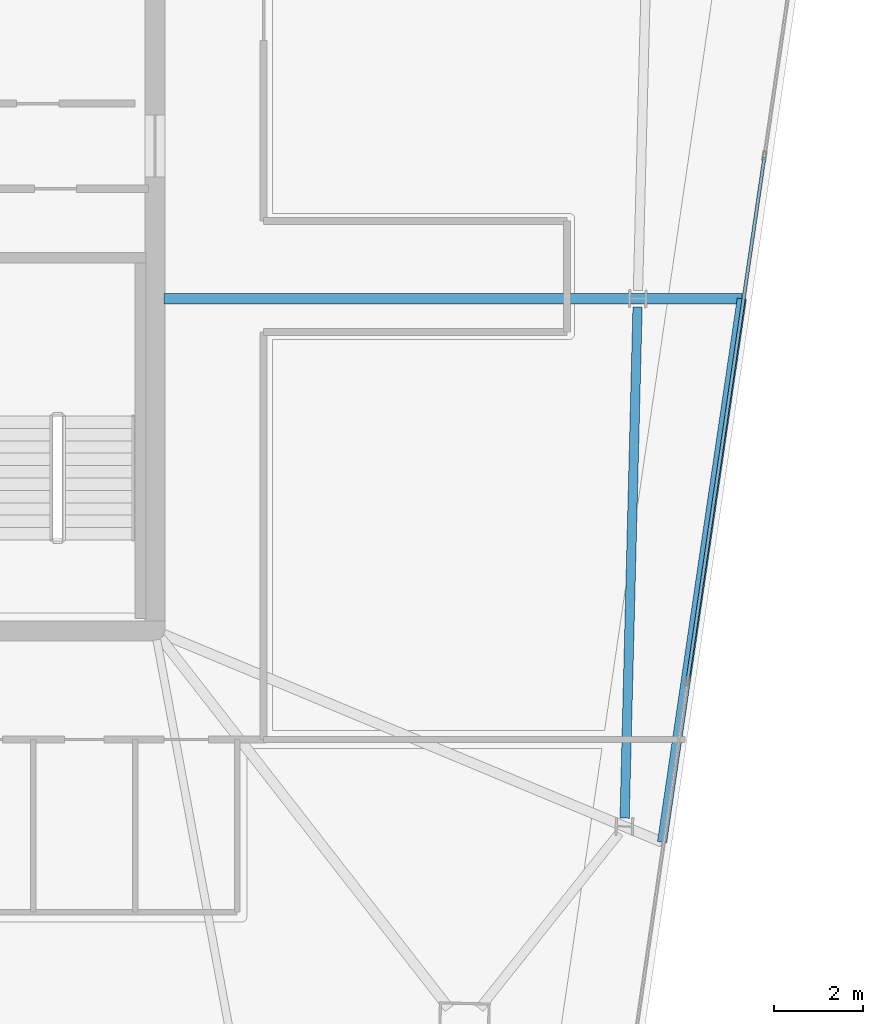
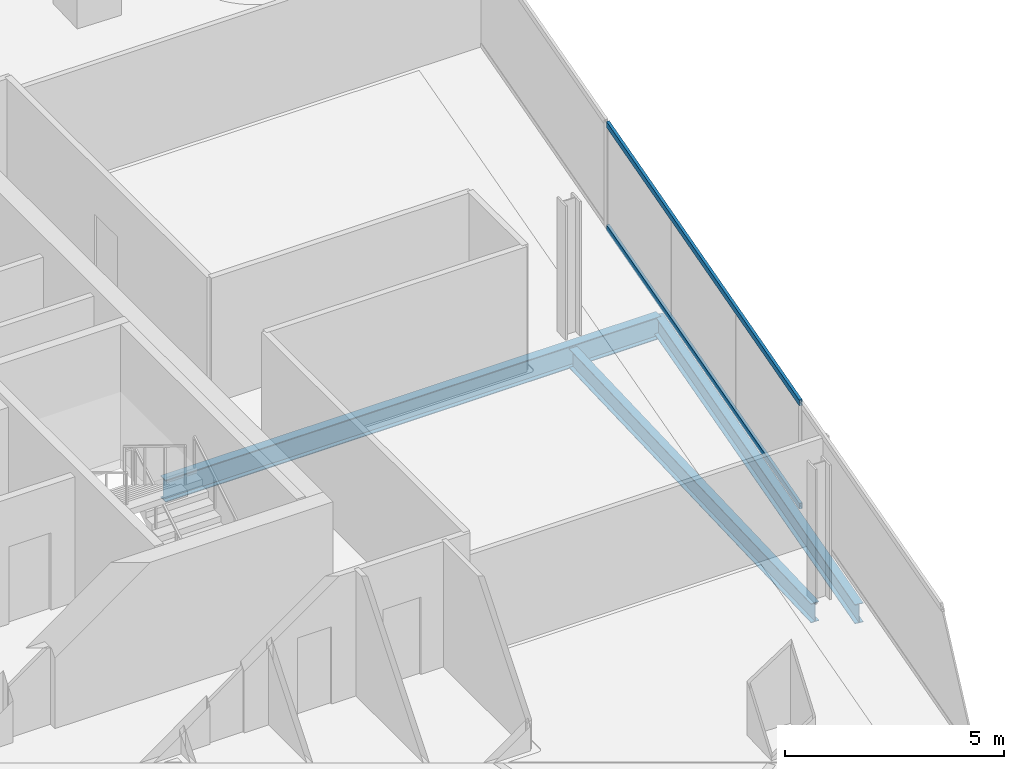
# One storey, part 9 of 22: 3 beams, 2 members, 1 element without a shape of its own.
"""IFC4 building model written with IfcOpenShell, lengths in metres."""

from ifc_helpers import new_model, si_unit, direction, frame, origin, origin_2d, place, context, subcontext, project, spatial, hollow_rectangle, i_section, extrude, material, material_profile, profile_set, type_object, element, aggregate, save


model = new_model("IFC4")

# Units and contexts
model_context = context("Model", 3, precision=1e-05, world=origin(), true_north=direction((0.0, 1.0)))
body_context = subcontext(model_context, "Body", "Model", "MODEL_VIEW")
ifc_project = project(units=[si_unit("LENGTHUNIT", "METRE"), si_unit("AREAUNIT", "SQUARE_METRE"), si_unit("VOLUMEUNIT", "CUBIC_METRE"), si_unit("PLANEANGLEUNIT", "RADIAN"), si_unit("MASSUNIT", "GRAM", prefix="KILO")], contexts=[model_context])

# Site, building, storey
site_placement = place(None, origin())
site = spatial("IfcSite", under=ifc_project, at=site_placement, CompositionType="ELEMENT")
building_placement = place(site_placement, origin())
building = spatial("IfcBuilding", under=site, at=building_placement, Name="Haldenkirk Collegiate Tower", CompositionType="ELEMENT")
storey_placement = place(building_placement, frame((0.0, 0.0, 302.699951171875)))
storey = spatial("IfcBuildingStorey", under=building, at=storey_placement, Name="L76", CompositionType="ELEMENT", Elevation=302.699951171875)

# Beams
ifc_material_1 = material(Name="Steel ASTM A992 Grade 50", Category="steel")
ifc_material_profile_1 = material_profile(ifc_material_1, i_section(OverallWidth=0.22998046875, OverallDepth=0.616943359375, WebThickness=0.01318359375, FlangeThickness=0.022216796875, at=origin_2d()), Name="W24X94")
ifc_profile_set_1 = profile_set([ifc_material_profile_1], Name="Steel ASTM A992 Grade 50")
beam_type_1 = type_object("IfcBeamType", Name="BM-GIRDER-W24X94", PredefinedType="BEAM", material=ifc_profile_set_1)
beam_1_placement = place(storey_placement, frame((58.24267578125, 25.496337890625, -0.568359375), z_axis=(-1.0, 0.0, 0.0), x_axis=(0.0, -1.0, 0.0)))
element("IfcBeam", 1, at=beam_1_placement, inside=storey, type_object=beam_type_1, Name="L76 primary floor girder 06", PredefinedType="BEAM", context=body_context, shape_type="SweptSolid", body=[
    extrude(i_section(OverallWidth=0.22998046875, OverallDepth=0.616943359375, WebThickness=0.01318359375, FlangeThickness=0.022216796875, at=origin_2d()), origin(), (0.0, 0.0, 1.0), 13.03759765625),
])
ifc_material_profile_2 = material_profile(ifc_material_1, i_section(OverallWidth=0.2099609375, OverallDepth=0.537109375, WebThickness=0.010986328125, FlangeThickness=0.017333984375, at=origin_2d()), Name="W21X68")
ifc_profile_set_2 = profile_set([ifc_material_profile_2], Name="Steel ASTM A992 Grade 50")
beam_type_2 = type_object("IfcBeamType", Name="BM-SPANDREL-W21X68", PredefinedType="SPANDREL", material=ifc_profile_set_2)
beam_2_placement = place(storey_placement, frame((55.596923828125, 13.772216796875, -0.528564453125), z_axis=(0.025302458902, 0.999679841536, 0.0), x_axis=(-0.999679841536, 0.025302458902, 0.0)))
element("IfcBeam", 2, at=beam_2_placement, inside=storey, type_object=beam_type_2, Name="L76 perimeter spandrel beam 02", PredefinedType="SPANDREL", context=body_context, shape_type="SweptSolid", body=[
    extrude(i_section(OverallWidth=0.2099609375, OverallDepth=0.537109375, WebThickness=0.010986328125, FlangeThickness=0.017333984375, at=origin_2d()), origin(), (0.0, 0.0, 1.0), 11.5400390625),
])
beam_3_placement = place(storey_placement, frame((56.4423828125, 13.22998046875, -0.528564453125), z_axis=(0.145211088933, 0.989400697216, 0.0), x_axis=(-0.989400697216, 0.145211088933, 0.0)))
element("IfcBeam", 3, at=beam_3_placement, inside=storey, type_object=beam_type_2, Name="L76 outer facade edge beam 1", PredefinedType="SPANDREL", context=body_context, shape_type="SweptSolid", body=[
    extrude(i_section(OverallWidth=0.2099609375, OverallDepth=0.537109375, WebThickness=0.010986328125, FlangeThickness=0.017333984375, at=origin_2d()), origin(), (0.0, 0.0, 1.0), 12.397705078125),
])

# Curtain wall, members
ifc_material_2 = material(Name="Anodised architectural bronze aluminium", Category="aluminium")
curtain_wall_type = type_object("IfcCurtainWallType", Name="CW-SYS2-CONCAVE", PredefinedType="USERDEFINED", material=ifc_material_2)
curtain_wall_placement = place(storey_placement, origin())
curtain_wall = element("IfcCurtainWall", 4, at=curtain_wall_placement, inside=storey, type_object=curtain_wall_type, Name="L76 South concave recessed bronze-anodised curtain wall", ObjectType="UNITISED CURTAIN WALL", PredefinedType="USERDEFINED")
ifc_material_profile_3 = material_profile(ifc_material_2, hollow_rectangle(XDim=0.074951171875, YDim=0.159912109375, WallThickness=0.0048828125, at=origin_2d()), Name="CW-TRN-02")
ifc_profile_set_3 = profile_set([ifc_material_profile_3], Name="Anodised architectural bronze aluminium")
member_type = type_object("IfcMemberType", Name="CW-TRN-02", PredefinedType="USERDEFINED", material=ifc_profile_set_3)
member_1_placement = place(storey_placement, frame((58.75146484375, 28.68701171875, 0.03759765625), z_axis=(-0.145215197877, -0.989400094151, 0.0), x_axis=(0.989400094151, -0.145215197877, 0.0)))
member_1 = element("IfcMember", 5, at=member_1_placement, type_object=member_type, Name="CW-02 transom 2.1", ObjectType="TRANSOM", PredefinedType="USERDEFINED", context=body_context, shape_type="SweptSolid", body=[
    extrude(hollow_rectangle(XDim=0.074951171875, YDim=0.159912109375, WallThickness=0.0048828125, at=origin_2d()), origin(), (0.0, 0.0, 1.0), 11.925048828125),
])
member_2_placement = place(storey_placement, frame((58.75146484375, 28.68701171875, 2.91064453125), z_axis=(-0.145215197877, -0.989400094151, 0.0), x_axis=(0.989400094151, -0.145215197877, 0.0)))
member_2 = element("IfcMember", 6, at=member_2_placement, type_object=member_type, Name="CW-02 transom 2.2", ObjectType="TRANSOM", PredefinedType="USERDEFINED", context=body_context, shape_type="SweptSolid", body=[
    extrude(hollow_rectangle(XDim=0.074951171875, YDim=0.159912109375, WallThickness=0.0048828125, at=origin_2d()), origin(), (0.0, 0.0, 1.0), 11.925048828125),
])
aggregate(curtain_wall, [member_1, member_2])

save(model, "model.ifc")
